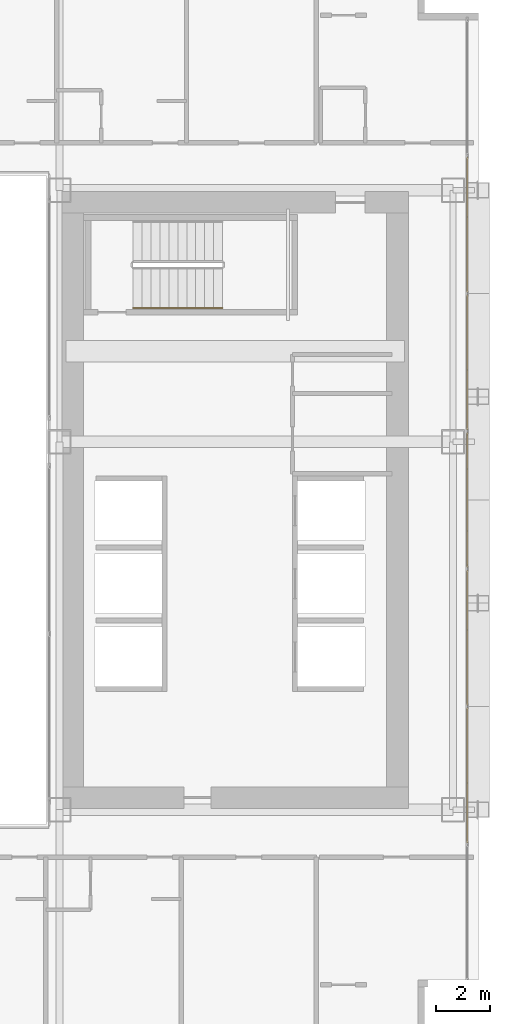
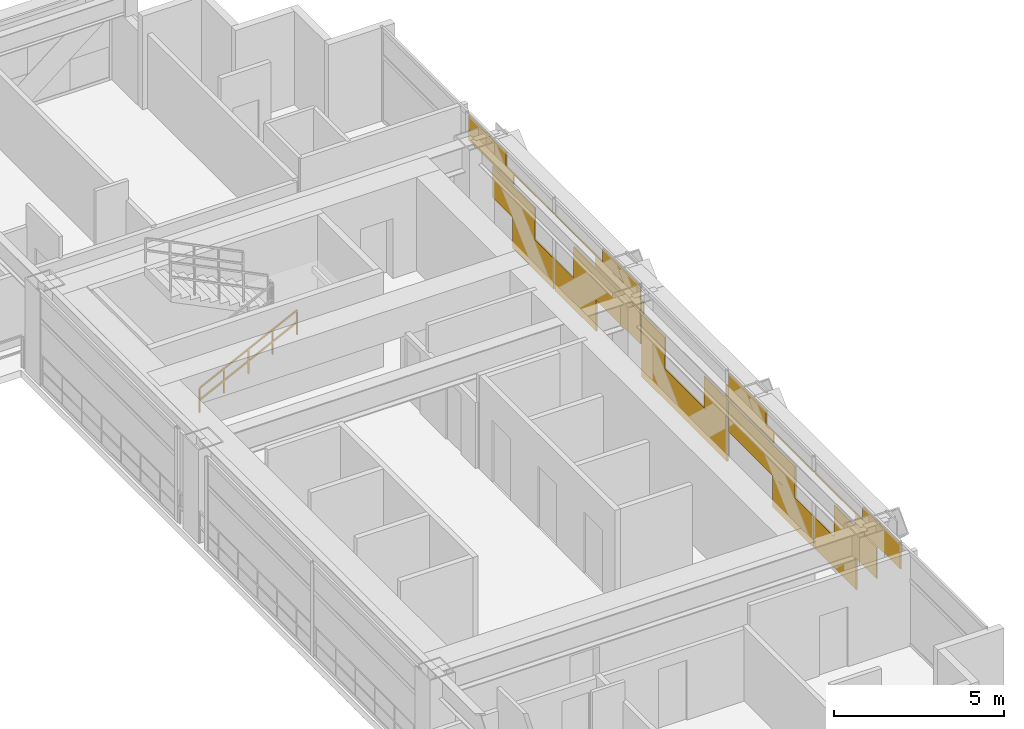
# One storey, part 40 of 41: 1 covering, 1 railing.
"""IFC4 building model written with IfcOpenShell, lengths in metres."""

from ifc_helpers import new_model, si_unit, direction, frame, origin, origin_2d, place, context, subcontext, project, spatial, rectangle, extrude, material, layer, layer_set, type_object, element, save


model = new_model("IFC4")

# Units and contexts
model_context = context("Model", 3, precision=1e-05, world=origin(), true_north=direction((0.0, 1.0)))
body_context = subcontext(model_context, "Body", "Model", "MODEL_VIEW")
ifc_project = project(units=[si_unit("LENGTHUNIT", "METRE"), si_unit("AREAUNIT", "SQUARE_METRE"), si_unit("VOLUMEUNIT", "CUBIC_METRE"), si_unit("PLANEANGLEUNIT", "RADIAN"), si_unit("MASSUNIT", "GRAM", prefix="KILO")], contexts=[model_context])

# Site, building, storey
site_placement = place(None, origin())
site = spatial("IfcSite", under=ifc_project, at=site_placement, CompositionType="ELEMENT")
building_placement = place(site_placement, origin())
building = spatial("IfcBuilding", under=site, at=building_placement, Name="Ocotamira Hotel", CompositionType="ELEMENT")
storey_placement = place(building_placement, frame((0.0, 0.0, 67.199951171875)))
storey = spatial("IfcBuildingStorey", under=building, at=storey_placement, Name="L16", CompositionType="ELEMENT", Elevation=67.199951171875)

# Covering
ifc_material_1 = material(Name="Insulated pale-metal aluminium spandrel panel", Category="aluminium")
ifc_layer = layer(ifc_material_1, 0.044921875)
ifc_layer_set = layer_set([ifc_layer], Name="Insulated pale-metal aluminium spandrel panel")
covering_type = type_object("IfcCoveringType", Name="COV-INFILL-45", PredefinedType="CLADDING", material=ifc_layer_set)
covering_placement = place(storey_placement, origin())
element("IfcCovering", 1, at=covering_placement, inside=storey, type_object=covering_type, Name="L16 Curtain Wall Infill CW-2 CW-L16-E", PredefinedType="CLADDING", context=body_context, shape_type="SweptSolid", body=[
    extrude(rectangle(XDim=2.49658203125, YDim=0.044921875, at=origin_2d()), frame((55.580078125, 15.977783203125, 1.1943359375), z_axis=(0.0, 0.0, 1.0), x_axis=(0.0, 1.0, 0.0)), (0.0, 0.0, 1.0), 1.117919921875),
    extrude(rectangle(XDim=2.415283203125, YDim=0.044921875, at=origin_2d()), frame((55.580078125, 17.123291015625, 0.07568359375), z_axis=(0.0, 0.0, 1.0), x_axis=(0.0, 1.0, 0.0)), (0.0, 0.0, 1.0), 1.11767578125),
    extrude(rectangle(XDim=2.634521484375, YDim=0.044921875, at=origin_2d()), frame((55.580078125, 14.6435546875, 2.38818359375), z_axis=(0.0, 0.0, 1.0), x_axis=(0.0, 1.0, 0.0)), (0.0, 0.0, 1.0), 0.366943359375),
    extrude(rectangle(XDim=5.004638671875, YDim=0.044921875, at=origin_2d()), frame((55.580078125, 15.82861328125, 2.756103515625), z_axis=(0.0, 0.0, 1.0), x_axis=(0.0, 1.0, 0.0)), (0.0, 0.0, 1.0), 0.033203125),
    extrude(rectangle(XDim=2.2080078125, YDim=0.044921875, at=origin_2d()), frame((55.580078125, 14.43017578125, 2.79052734375), z_axis=(0.0, 0.0, 1.0), x_axis=(0.0, 1.0, 0.0)), (0.0, 0.0, 1.0), 0.484130859375),
    extrude(rectangle(XDim=2.40576171875, YDim=0.044921875, at=origin_2d()), frame((55.580078125, 19.61474609375, 0.07568359375), z_axis=(0.0, 0.0, 1.0), x_axis=(0.0, 1.0, 0.0)), (0.0, 0.0, 1.0), 1.11767578125),
    extrude(rectangle(XDim=3.90966796875, YDim=0.044921875, at=origin_2d()), frame((55.580078125, 21.4619140625, 1.1943359375), z_axis=(0.0, 0.0, 1.0), x_axis=(0.0, 1.0, 0.0)), (0.0, 0.0, 1.0), 1.117919921875),
    extrude(rectangle(XDim=5.004638671875, YDim=0.044921875, at=origin_2d()), frame((55.580078125, 20.914306640625, 2.756103515625), z_axis=(0.0, 0.0, 1.0), x_axis=(0.0, 1.0, 0.0)), (0.0, 0.0, 1.0), 0.033203125),
    extrude(rectangle(XDim=2.64404296875, YDim=0.044921875, at=origin_2d()), frame((55.580078125, 22.094482421875, 2.38818359375), z_axis=(0.0, 0.0, 1.0), x_axis=(0.0, 1.0, 0.0)), (0.0, 0.0, 1.0), 0.366943359375),
    extrude(rectangle(XDim=2.217529296875, YDim=0.044921875, at=origin_2d()), frame((55.580078125, 22.307861328125, 2.79052734375), z_axis=(0.0, 0.0, 1.0), x_axis=(0.0, 1.0, 0.0)), (0.0, 0.0, 1.0), 0.484130859375),
    extrude(rectangle(XDim=5.004638671875, YDim=0.044921875, at=origin_2d()), frame((55.580078125, 26.0, 0.07568359375), z_axis=(0.0, 0.0, 1.0), x_axis=(0.0, 1.0, 0.0)), (0.0, 0.0, 1.0), 1.11767578125),
    extrude(rectangle(XDim=1.362060546875, YDim=0.044921875, at=origin_2d()), frame((55.580078125, 24.1787109375, 1.1943359375), z_axis=(0.0, 0.0, 1.0), x_axis=(0.0, 1.0, 0.0)), (0.0, 0.0, 1.0), 1.117919921875),
    extrude(rectangle(XDim=1.362060546875, YDim=0.044921875, at=origin_2d()), frame((55.580078125, 27.8212890625, 1.1943359375), z_axis=(0.0, 0.0, 1.0), x_axis=(0.0, 1.0, 0.0)), (0.0, 0.0, 1.0), 1.117919921875),
    extrude(rectangle(XDim=0.096435546875, YDim=0.044921875, at=origin_2d()), frame((55.580078125, 23.5458984375, 2.387939453125), z_axis=(0.0, 0.0, 1.0), x_axis=(0.0, 1.0, 0.0)), (0.0, 0.0, 1.0), 0.4013671875),
    extrude(rectangle(XDim=0.096435546875, YDim=0.044921875, at=origin_2d()), frame((55.580078125, 28.4541015625, 2.387939453125), z_axis=(0.0, 0.0, 1.0), x_axis=(0.0, 1.0, 0.0)), (0.0, 0.0, 1.0), 0.4013671875),
    extrude(rectangle(XDim=3.90966796875, YDim=0.044921875, at=origin_2d()), frame((55.580078125, 30.5380859375, 1.1943359375), z_axis=(0.0, 0.0, 1.0), x_axis=(0.0, 1.0, 0.0)), (0.0, 0.0, 1.0), 1.117919921875),
    extrude(rectangle(XDim=2.40576171875, YDim=0.044921875, at=origin_2d()), frame((55.580078125, 32.38525390625, 0.07568359375), z_axis=(0.0, 0.0, 1.0), x_axis=(0.0, 1.0, 0.0)), (0.0, 0.0, 1.0), 1.11767578125),
    extrude(rectangle(XDim=2.64404296875, YDim=0.044921875, at=origin_2d()), frame((55.580078125, 29.905517578125, 2.38818359375), z_axis=(0.0, 0.0, 1.0), x_axis=(0.0, 1.0, 0.0)), (0.0, 0.0, 1.0), 0.366943359375),
    extrude(rectangle(XDim=5.004638671875, YDim=0.044921875, at=origin_2d()), frame((55.580078125, 31.085693359375, 2.756103515625), z_axis=(0.0, 0.0, 1.0), x_axis=(0.0, 1.0, 0.0)), (0.0, 0.0, 1.0), 0.033203125),
    extrude(rectangle(XDim=2.217529296875, YDim=0.044921875, at=origin_2d()), frame((55.580078125, 29.692138671875, 2.79052734375), z_axis=(0.0, 0.0, 1.0), x_axis=(0.0, 1.0, 0.0)), (0.0, 0.0, 1.0), 0.484130859375),
    extrude(rectangle(XDim=2.415283203125, YDim=0.044921875, at=origin_2d()), frame((55.580078125, 34.876708984375, 0.07568359375), z_axis=(0.0, 0.0, 1.0), x_axis=(0.0, 1.0, 0.0)), (0.0, 0.0, 1.0), 1.11767578125),
    extrude(rectangle(XDim=2.49658203125, YDim=0.044921875, at=origin_2d()), frame((55.580078125, 36.022216796875, 1.1943359375), z_axis=(0.0, 0.0, 1.0), x_axis=(0.0, 1.0, 0.0)), (0.0, 0.0, 1.0), 1.117919921875),
    extrude(rectangle(XDim=5.004638671875, YDim=0.044921875, at=origin_2d()), frame((55.580078125, 36.17138671875, 2.756103515625), z_axis=(0.0, 0.0, 1.0), x_axis=(0.0, 1.0, 0.0)), (0.0, 0.0, 1.0), 0.033203125),
    extrude(rectangle(XDim=2.634521484375, YDim=0.044921875, at=origin_2d()), frame((55.580078125, 37.3564453125, 2.38818359375), z_axis=(0.0, 0.0, 1.0), x_axis=(0.0, 1.0, 0.0)), (0.0, 0.0, 1.0), 0.366943359375),
    extrude(rectangle(XDim=2.2080078125, YDim=0.044921875, at=origin_2d()), frame((55.580078125, 37.56982421875, 2.79052734375), z_axis=(0.0, 0.0, 1.0), x_axis=(0.0, 1.0, 0.0)), (0.0, 0.0, 1.0), 0.484130859375),
])

# Railing
ifc_material_2 = material(Name="Brushed stainless steel handrail", Category="steel")
railing_type = type_object("IfcRailingType", Name="RL-HAND-900", PredefinedType="HANDRAIL", material=ifc_material_2)
railing_placement = place(storey_placement, frame((43.22998046875, 33.10009765625, 0.327392578125)))
element("IfcRailing", 2, at=railing_placement, inside=storey, type_object=railing_type, Name="L16 ST-4 stair handrail 1", PredefinedType="HANDRAIL", context=body_context, shape_type="SweptSolid", body=[
    extrude(rectangle(XDim=0.048095703125, YDim=0.048095703125, at=origin_2d()), frame((0.0, 0.0, 0.8759765625), z_axis=(0.895920123917, 0.0, 0.444215186098), x_axis=(0.0, 1.0, 0.0)), (0.0, 0.0, 1.0), 3.683349609375),
    extrude(rectangle(XDim=0.048095703125, YDim=0.048095703125, at=origin_2d()), frame((0.0, 0.0, 0.449951171875), z_axis=(0.895920123917, 0.0, 0.444215186098), x_axis=(0.0, 1.0, 0.0)), (0.0, 0.0, 1.0), 3.683349609375),
    extrude(rectangle(XDim=0.0419921875, YDim=0.0419921875, at=origin_2d()), origin(), (0.0, 0.0, 1.0), 0.851806640625),
    extrude(rectangle(XDim=0.0419921875, YDim=0.0419921875, at=origin_2d()), frame((0.824951171875, 0.0, 0.4091796875)), (0.0, 0.0, 1.0), 0.851806640625),
    extrude(rectangle(XDim=0.0419921875, YDim=0.0419921875, at=origin_2d()), frame((1.64990234375, 0.0, 0.818115234375)), (0.0, 0.0, 1.0), 0.851806640625),
    extrude(rectangle(XDim=0.0419921875, YDim=0.0419921875, at=origin_2d()), frame((2.47509765625, 0.0, 1.22705078125)), (0.0, 0.0, 1.0), 0.851806640625),
    extrude(rectangle(XDim=0.0419921875, YDim=0.0419921875, at=origin_2d()), frame((3.300048828125, 0.0, 1.63623046875)), (0.0, 0.0, 1.0), 0.851806640625),
])

save(model, "model.ifc")
